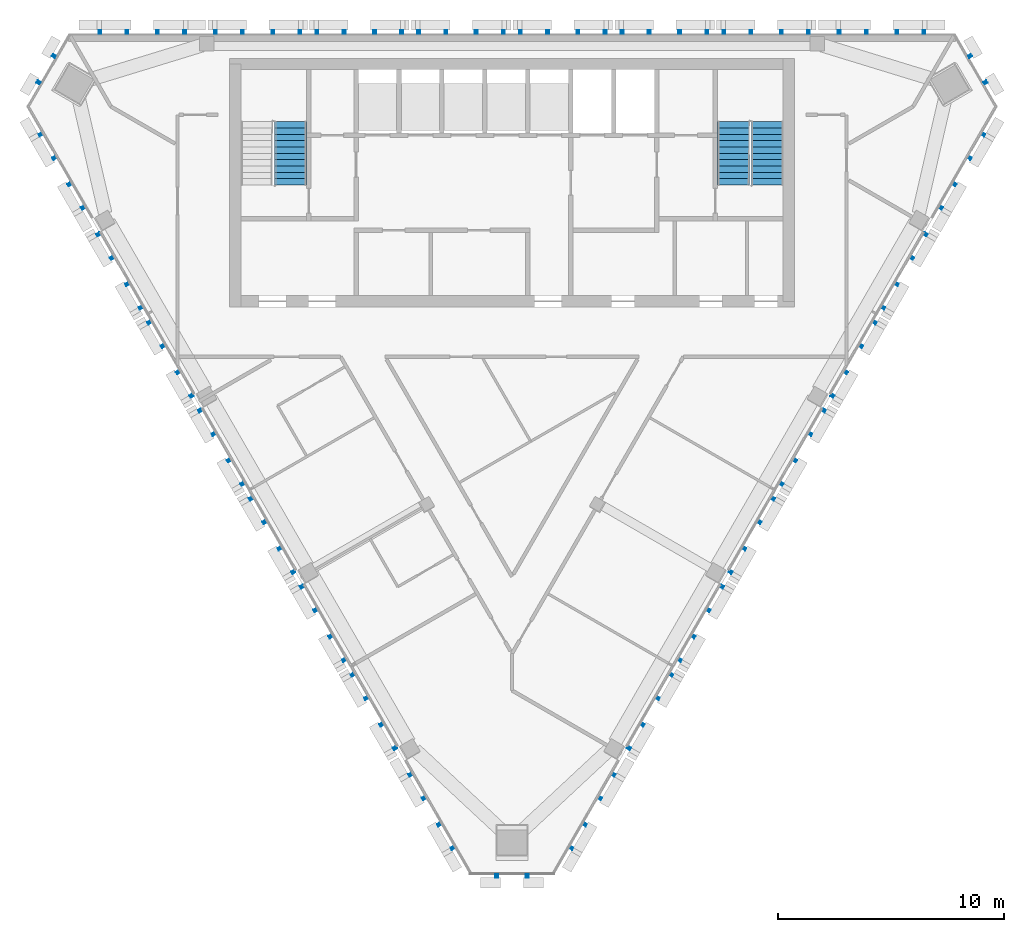
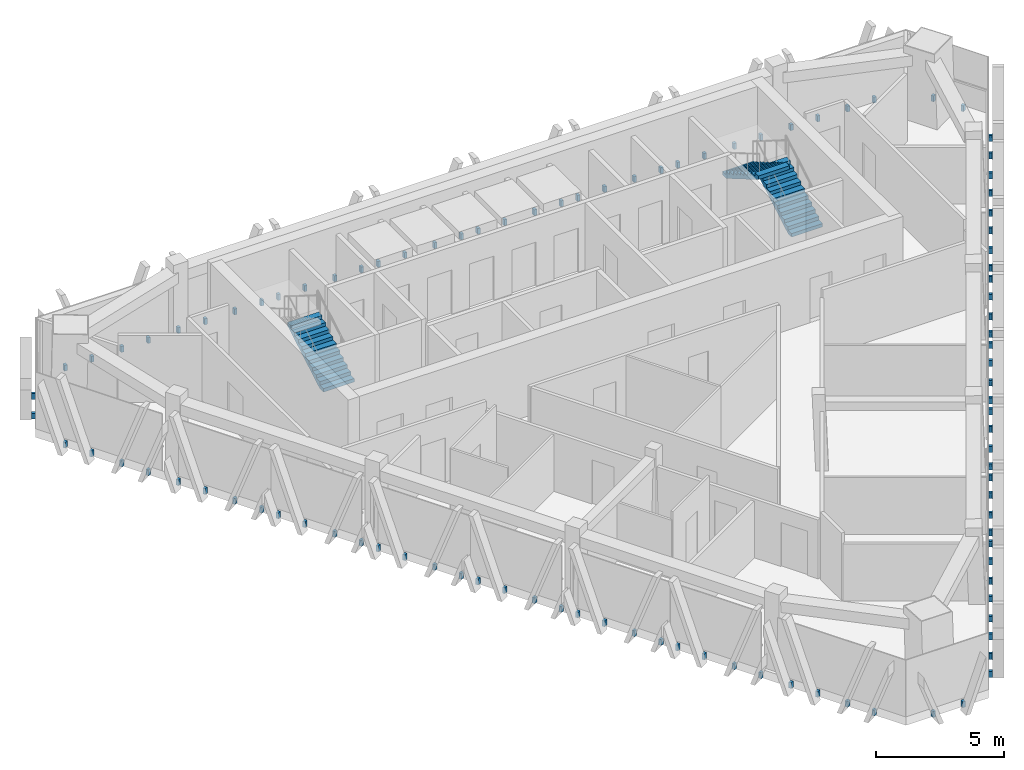
# One storey, part 8 of 10: 6 discrete accessories, 3 stair flights, 2 elements without a shape of their own.
"""IFC4 building model written with IfcOpenShell, lengths in metres."""

from ifc_helpers import new_model, si_unit, direction, frame, origin, place, context, subcontext, project, spatial, polyline, outline, extrude, source, transform, mapped, material, type_object, element, aggregate, save


model = new_model("IFC4")

# Units and contexts
model_context = context("Model", 3, precision=1e-05, world=origin(), true_north=direction((0.0, 1.0)))
body_context = subcontext(model_context, "Body", "Model", "MODEL_VIEW")
ifc_project = project(units=[si_unit("LENGTHUNIT", "METRE"), si_unit("AREAUNIT", "SQUARE_METRE"), si_unit("VOLUMEUNIT", "CUBIC_METRE"), si_unit("PLANEANGLEUNIT", "RADIAN"), si_unit("MASSUNIT", "GRAM", prefix="KILO")], contexts=[model_context])

# Site, building, storey
site_placement = place(None, origin())
site = spatial("IfcSite", under=ifc_project, at=site_placement, CompositionType="ELEMENT")
building_placement = place(site_placement, origin())
building = spatial("IfcBuilding", under=site, at=building_placement, Name="Altiplano Prism Tower", CompositionType="ELEMENT")
storey_placement = place(building_placement, frame((0.0, 0.0, 320.199951171875)))
storey = spatial("IfcBuildingStorey", under=building, at=storey_placement, Name="L83", CompositionType="ELEMENT", Elevation=320.199951171875)

# Stair, stair flight
ifc_material_1 = material(Name="Concrete C40/50", Category="concrete")
stair_type = type_object("IfcStairType", Name="Exit stair 1400", PredefinedType="HALF_TURN_STAIR", material=ifc_material_1)
stair_1_placement = place(storey_placement, origin())
stair_1 = element("IfcStair", 1, at=stair_1_placement, inside=storey, type_object=stair_type, Name="L83 Exit Stair 1", PredefinedType="HALF_TURN_STAIR")
stair_flight_type = type_object("IfcStairFlightType", Name="Stair flight concrete 150", PredefinedType="STRAIGHT", material=ifc_material_1)
stair_flight_1_placement = place(storey_placement, frame((75.199951171875, 98.300048828125, 0.0), z_axis=(0.0, 0.0, 1.0), x_axis=(0.0, 1.0, 0.0)))
stair_flight_1 = element("IfcStairFlight", 2, at=stair_flight_1_placement, type_object=stair_flight_type, Name="ST1 flight 1", NumberOfRisers=11, NumberOfTreads=10, PredefinedType="STRAIGHT", RiserHeight=0.163636364, TreadLength=0.28, context=body_context, shape_type="SweptSolid", body=[
    extrude(outline(polyline([(0.0, 0.0), (0.0, 0.16357421875), (0.280029296875, 0.16357421875), (0.280029296875, 0.327392578125), (0.56005859375, 0.327392578125), (0.56005859375, 0.490966796875), (0.840087890625, 0.490966796875), (0.840087890625, 0.654541015625), (1.1201171875, 0.654541015625), (1.1201171875, 0.818115234375), (1.39990234375, 0.818115234375), (1.39990234375, 0.98193359375), (1.679931640625, 0.98193359375), (1.679931640625, 1.1455078125), (1.9599609375, 1.1455078125), (1.9599609375, 1.30908203125), (2.239990234375, 1.30908203125), (2.239990234375, 1.47265625), (2.52001953125, 1.47265625), (2.52001953125, 1.636474609375), (2.800048828125, 1.636474609375), (2.800048828125, 1.800048828125), (2.800048828125, 1.462646484375), (0.297119140625, 0.0), (0.0, 0.0)])), frame((0.0, 0.699951171875, 0.0), z_axis=(0.0, -1.0, 0.0), x_axis=(1.0, 0.0, 0.0)), (0.0, 0.0, 1.0), 1.39990234375),
])
aggregate(stair_1, [stair_flight_1])

# Stair, stair flights
stair_2_placement = place(storey_placement, origin())
stair_2 = element("IfcStair", 3, at=stair_2_placement, inside=storey, type_object=stair_type, Name="L83 Exit Stair 2", PredefinedType="HALF_TURN_STAIR")
stair_flight_2_placement = place(storey_placement, frame((96.300048828125, 98.300048828125, 0.0), z_axis=(0.0, 0.0, 1.0), x_axis=(0.0, 1.0, 0.0)))
stair_flight_2 = element("IfcStairFlight", 4, at=stair_flight_2_placement, type_object=stair_flight_type, Name="ST2 flight 1", NumberOfRisers=11, NumberOfTreads=10, PredefinedType="STRAIGHT", RiserHeight=0.163636364, TreadLength=0.28, context=body_context, shape_type="SweptSolid", body=[
    extrude(outline(polyline([(0.0, 0.0), (0.0, 0.16357421875), (0.280029296875, 0.16357421875), (0.280029296875, 0.327392578125), (0.56005859375, 0.327392578125), (0.56005859375, 0.490966796875), (0.840087890625, 0.490966796875), (0.840087890625, 0.654541015625), (1.1201171875, 0.654541015625), (1.1201171875, 0.818115234375), (1.39990234375, 0.818115234375), (1.39990234375, 0.98193359375), (1.679931640625, 0.98193359375), (1.679931640625, 1.1455078125), (1.9599609375, 1.1455078125), (1.9599609375, 1.30908203125), (2.239990234375, 1.30908203125), (2.239990234375, 1.47265625), (2.52001953125, 1.47265625), (2.52001953125, 1.636474609375), (2.800048828125, 1.636474609375), (2.800048828125, 1.800048828125), (2.800048828125, 1.462646484375), (0.297119140625, 0.0), (0.0, 0.0)])), frame((0.0, 0.699951171875, 0.0), z_axis=(0.0, -1.0, 0.0), x_axis=(1.0, 0.0, 0.0)), (0.0, 0.0, 1.0), 1.39990234375),
])
stair_flight_3_placement = place(storey_placement, frame((94.800048828125, 101.10009765625, 1.800048828125), z_axis=(0.0, 0.0, 1.0), x_axis=(0.0, -1.0, 0.0)))
stair_flight_3 = element("IfcStairFlight", 5, at=stair_flight_3_placement, type_object=stair_flight_type, Name="ST2 flight 2", NumberOfRisers=11, NumberOfTreads=10, PredefinedType="STRAIGHT", RiserHeight=0.163636364, TreadLength=0.28, context=body_context, shape_type="SweptSolid", body=[
    extrude(outline(polyline([(0.0, 0.0), (0.0, 0.16357421875), (0.280029296875, 0.16357421875), (0.280029296875, 0.327392578125), (0.56005859375, 0.327392578125), (0.56005859375, 0.490966796875), (0.840087890625, 0.490966796875), (0.840087890625, 0.654541015625), (1.1201171875, 0.654541015625), (1.1201171875, 0.818115234375), (1.39990234375, 0.818115234375), (1.39990234375, 0.98193359375), (1.679931640625, 0.98193359375), (1.679931640625, 1.1455078125), (1.9599609375, 1.1455078125), (1.9599609375, 1.30908203125), (2.239990234375, 1.30908203125), (2.239990234375, 1.47265625), (2.52001953125, 1.47265625), (2.52001953125, 1.636474609375), (2.800048828125, 1.636474609375), (2.800048828125, 1.800048828125), (2.800048828125, 1.462646484375), (0.297119140625, 0.0), (0.0, 0.0)])), frame((0.0, 0.699951171875, 0.0), z_axis=(0.0, -1.0, 0.0), x_axis=(1.0, 0.0, 0.0)), (0.0, 0.0, 1.0), 1.39990234375),
])
aggregate(stair_2, [stair_flight_2, stair_flight_3])

# Discrete accessories
ifc_material_2 = material(Name="Stainless steel", Category="steel")
discrete_accessory_type = type_object("IfcDiscreteAccessoryType", Name="Stone fin fixing prongs", PredefinedType="USERDEFINED", material=ifc_material_2)
shared_shape_1 = source(origin(), body_context, "Body", "SweptSolid", [
    extrude(outline(polyline([(-1.932861328125, 0.06005859375), (-1.812744140625, 0.06005859375), (-1.812744140625, 0.340087890625), (-1.932861328125, 0.340087890625), (-1.932861328125, 0.06005859375)])), frame((0.0, 0.0, 0.0), z_axis=(0.0, -1.0, 0.0), x_axis=(1.0, 0.0, 0.0)), (0.0, 0.0, 1.0), 0.14990234375),
    extrude(outline(polyline([(-0.73291015625, 0.06005859375), (-0.61279296875, 0.06005859375), (-0.61279296875, 0.340087890625), (-0.73291015625, 0.340087890625), (-0.73291015625, 0.06005859375)])), frame((0.0, 0.0, 0.0), z_axis=(0.0, -1.0, 0.0), x_axis=(1.0, 0.0, 0.0)), (0.0, 0.0, 1.0), 0.14990234375),
    extrude(outline(polyline([(0.61279296875, 0.06005859375), (0.73291015625, 0.06005859375), (0.73291015625, 0.340087890625), (0.61279296875, 0.340087890625), (0.61279296875, 0.06005859375)])), frame((0.0, 0.0, 0.0), z_axis=(0.0, -1.0, 0.0), x_axis=(1.0, 0.0, 0.0)), (0.0, 0.0, 1.0), 0.14990234375),
    extrude(outline(polyline([(1.812744140625, 0.06005859375), (1.932861328125, 0.06005859375), (1.932861328125, 0.340087890625), (1.812744140625, 0.340087890625), (1.812744140625, 0.06005859375)])), frame((0.0, 0.0, 0.0), z_axis=(0.0, -1.0, 0.0), x_axis=(1.0, 0.0, 0.0)), (0.0, 0.0, 1.0), 0.14990234375),
])
shared_shape_2 = source(origin(), body_context, "Body", "SweptSolid", [
    extrude(outline(polyline([(-1.932861328125, 0.06005859375), (-1.812744140625, 0.06005859375), (-1.812744140625, 0.340087890625), (-1.932861328125, 0.340087890625), (-1.932861328125, 0.06005859375)])), frame((0.0, 0.0, 0.0), z_axis=(0.0, -1.0, 0.0), x_axis=(1.0, 0.0, 0.0)), (0.0, 0.0, 1.0), 0.14990234375),
    extrude(outline(polyline([(-0.73291015625, 0.06005859375), (-0.61279296875, 0.06005859375), (-0.61279296875, 0.340087890625), (-0.73291015625, 0.340087890625), (-0.73291015625, 0.06005859375)])), frame((0.0, 0.0, 0.0), z_axis=(0.0, -1.0, 0.0), x_axis=(1.0, 0.0, 0.0)), (0.0, 0.0, 1.0), 0.14990234375),
    extrude(outline(polyline([(0.61279296875, 0.06005859375), (0.73291015625, 0.06005859375), (0.73291015625, 0.340087890625), (0.61279296875, 0.340087890625), (0.61279296875, 0.06005859375)])), frame((0.0, 0.0, 0.0), z_axis=(0.0, -1.0, 0.0), x_axis=(1.0, 0.0, 0.0)), (0.0, 0.0, 1.0), 0.14990234375),
    extrude(outline(polyline([(1.812744140625, 0.06005859375), (1.932861328125, 0.06005859375), (1.932861328125, 0.340087890625), (1.812744140625, 0.340087890625), (1.812744140625, 0.06005859375)])), frame((0.0, 0.0, 0.0), z_axis=(0.0, -1.0, 0.0), x_axis=(1.0, 0.0, 0.0)), (0.0, 0.0, 1.0), 0.14990234375),
])
discrete_accessory_1_placement = place(storey_placement, origin())
element("IfcDiscreteAccessory", 6, at=discrete_accessory_1_placement, inside=storey, type_object=discrete_accessory_type, Name="Fin fixings L83 north face", ObjectType="BRACKET", PredefinedType="USERDEFINED", context=body_context, shape_type="MappedRepresentation", body=[
    mapped(shared_shape_1, transform((101.356201171875, 105.0, -0.39990234375), x_axis=(-1.0, 0.0, 0.0), y_axis=(0.0, -1.0, 0.0), z_axis=(0.0, 0.0, 1.0))),
    mapped(shared_shape_2, transform((96.25, 105.0, -0.39990234375), x_axis=(-1.0, 0.0, 0.0), y_axis=(0.0, -1.0, 0.0), z_axis=(0.0, 0.0, 1.0))),
    mapped(shared_shape_2, transform((91.75, 105.0, -0.39990234375), x_axis=(-1.0, 0.0, 0.0), y_axis=(0.0, -1.0, 0.0), z_axis=(0.0, 0.0, 1.0))),
    mapped(shared_shape_2, transform((87.25, 105.0, -0.39990234375), x_axis=(-1.0, 0.0, 0.0), y_axis=(0.0, -1.0, 0.0), z_axis=(0.0, 0.0, 1.0))),
    mapped(shared_shape_2, transform((82.75, 105.0, -0.39990234375), x_axis=(-1.0, 0.0, 0.0), y_axis=(0.0, -1.0, 0.0), z_axis=(0.0, 0.0, 1.0))),
    mapped(shared_shape_2, transform((78.25, 105.0, -0.39990234375), x_axis=(-1.0, 0.0, 0.0), y_axis=(0.0, -1.0, 0.0), z_axis=(0.0, 0.0, 1.0))),
    mapped(shared_shape_2, transform((73.75, 105.0, -0.39990234375), x_axis=(-1.0, 0.0, 0.0), y_axis=(0.0, -1.0, 0.0), z_axis=(0.0, 0.0, 1.0))),
    mapped(shared_shape_1, transform((68.643798828125, 105.0, -0.39990234375), x_axis=(-1.0, 0.0, 0.0), y_axis=(0.0, -1.0, 0.0), z_axis=(0.0, 0.0, 1.0))),
])
discrete_accessory_2_placement = place(storey_placement, origin())
element("IfcDiscreteAccessory", 7, at=discrete_accessory_2_placement, inside=storey, type_object=discrete_accessory_type, Name="Fin fixings L83 south-west face", ObjectType="BRACKET", PredefinedType="USERDEFINED", context=body_context, shape_type="MappedRepresentation", body=[
    mapped(shared_shape_1, transform((65.150146484375, 98.94873046875, -0.39990234375), x_axis=(0.500000008072, -0.866025399124, 0.0), y_axis=(0.866025399124, 0.500000008072, 0.0), z_axis=(0.0, 0.0, 1.0))),
    mapped(shared_shape_2, transform((67.703125, 94.526611328125, -0.39990234375), x_axis=(0.500000008072, -0.866025399124, 0.0), y_axis=(0.866025399124, 0.500000008072, 0.0), z_axis=(0.0, 0.0, 1.0))),
    mapped(shared_shape_2, transform((69.953125, 90.62939453125, -0.39990234375), x_axis=(0.500000008072, -0.866025399124, 0.0), y_axis=(0.866025399124, 0.500000008072, 0.0), z_axis=(0.0, 0.0, 1.0))),
    mapped(shared_shape_2, transform((72.203125, 86.732421875, -0.39990234375), x_axis=(0.500000008072, -0.866025399124, 0.0), y_axis=(0.866025399124, 0.500000008072, 0.0), z_axis=(0.0, 0.0, 1.0))),
    mapped(shared_shape_2, transform((74.453125, 82.835205078125, -0.39990234375), x_axis=(0.500000008072, -0.866025399124, 0.0), y_axis=(0.866025399124, 0.500000008072, 0.0), z_axis=(0.0, 0.0, 1.0))),
    mapped(shared_shape_2, transform((76.703125, 78.938232421875, -0.39990234375), x_axis=(0.500000008072, -0.866025399124, 0.0), y_axis=(0.866025399124, 0.500000008072, 0.0), z_axis=(0.0, 0.0, 1.0))),
    mapped(shared_shape_2, transform((78.953125, 75.041015625, -0.39990234375), x_axis=(0.500000008072, -0.866025399124, 0.0), y_axis=(0.866025399124, 0.500000008072, 0.0), z_axis=(0.0, 0.0, 1.0))),
    mapped(shared_shape_1, transform((81.50634765625, 70.618896484375, -0.39990234375), x_axis=(0.500000008072, -0.866025399124, 0.0), y_axis=(0.866025399124, 0.500000008072, 0.0), z_axis=(0.0, 0.0, 1.0))),
])
discrete_accessory_3_placement = place(storey_placement, origin())
element("IfcDiscreteAccessory", 8, at=discrete_accessory_3_placement, inside=storey, type_object=discrete_accessory_type, Name="Fin fixings L83 south-east face", ObjectType="BRACKET", PredefinedType="USERDEFINED", context=body_context, shape_type="MappedRepresentation", body=[
    mapped(shared_shape_1, transform((88.49365234375, 70.618896484375, -0.39990234375), x_axis=(0.500000008072, 0.866025399124, 0.0), y_axis=(-0.866025399124, 0.500000008072, 0.0), z_axis=(0.0, 0.0, 1.0))),
    mapped(shared_shape_2, transform((91.046875, 75.041015625, -0.39990234375), x_axis=(0.500000008072, 0.866025399124, 0.0), y_axis=(-0.866025399124, 0.500000008072, 0.0), z_axis=(0.0, 0.0, 1.0))),
    mapped(shared_shape_2, transform((93.296875, 78.938232421875, -0.39990234375), x_axis=(0.500000008072, 0.866025399124, 0.0), y_axis=(-0.866025399124, 0.500000008072, 0.0), z_axis=(0.0, 0.0, 1.0))),
    mapped(shared_shape_2, transform((95.546875, 82.835205078125, -0.39990234375), x_axis=(0.500000008072, 0.866025399124, 0.0), y_axis=(-0.866025399124, 0.500000008072, 0.0), z_axis=(0.0, 0.0, 1.0))),
    mapped(shared_shape_2, transform((97.796875, 86.732421875, -0.39990234375), x_axis=(0.500000008072, 0.866025399124, 0.0), y_axis=(-0.866025399124, 0.500000008072, 0.0), z_axis=(0.0, 0.0, 1.0))),
    mapped(shared_shape_2, transform((100.046875, 90.62939453125, -0.39990234375), x_axis=(0.500000008072, 0.866025399124, 0.0), y_axis=(-0.866025399124, 0.500000008072, 0.0), z_axis=(0.0, 0.0, 1.0))),
    mapped(shared_shape_2, transform((102.296875, 94.526611328125, -0.39990234375), x_axis=(0.500000008072, 0.866025399124, 0.0), y_axis=(-0.866025399124, 0.500000008072, 0.0), z_axis=(0.0, 0.0, 1.0))),
    mapped(shared_shape_1, transform((104.849853515625, 98.94873046875, -0.39990234375), x_axis=(0.500000008072, 0.866025399124, 0.0), y_axis=(-0.866025399124, 0.500000008072, 0.0), z_axis=(0.0, 0.0, 1.0))),
])
shared_shape_3 = source(origin(), body_context, "Body", "SweptSolid", [
    extrude(outline(polyline([(-0.73291015625, 0.06005859375), (-0.61279296875, 0.06005859375), (-0.61279296875, 0.340087890625), (-0.73291015625, 0.340087890625), (-0.73291015625, 0.06005859375)])), frame((0.0, 0.0, 0.0), z_axis=(0.0, -1.0, 0.0), x_axis=(1.0, 0.0, 0.0)), (0.0, 0.0, 1.0), 0.14990234375),
    extrude(outline(polyline([(0.61279296875, 0.06005859375), (0.73291015625, 0.06005859375), (0.73291015625, 0.340087890625), (0.61279296875, 0.340087890625), (0.61279296875, 0.06005859375)])), frame((0.0, 0.0, 0.0), z_axis=(0.0, -1.0, 0.0), x_axis=(1.0, 0.0, 0.0)), (0.0, 0.0, 1.0), 0.14990234375),
])
discrete_accessory_4_placement = place(storey_placement, origin())
element("IfcDiscreteAccessory", 9, at=discrete_accessory_4_placement, inside=storey, type_object=discrete_accessory_type, Name="Fin fixings L83 north-west chamfer", ObjectType="BRACKET", PredefinedType="USERDEFINED", context=body_context, shape_type="MappedRepresentation", body=[
    mapped(shared_shape_3, transform((64.454833984375, 103.38427734375, -0.39990234375), x_axis=(-0.499999982077, -0.866025414133, 0.0), y_axis=(0.866025414133, -0.499999982077, 0.0), z_axis=(0.0, 0.0, 1.0))),
])
discrete_accessory_5_placement = place(storey_placement, origin())
element("IfcDiscreteAccessory", 10, at=discrete_accessory_5_placement, inside=storey, type_object=discrete_accessory_type, Name="Fin fixings L83 south chamfer", ObjectType="BRACKET", PredefinedType="USERDEFINED", context=body_context, shape_type="MappedRepresentation", body=[
    mapped(shared_shape_3, transform((85.0, 67.799072265625, -0.39990234375), x_axis=(1.0, 0.0, 0.0), y_axis=(0.0, 1.0, 0.0), z_axis=(0.0, 0.0, 1.0))),
])
discrete_accessory_6_placement = place(storey_placement, origin())
element("IfcDiscreteAccessory", 11, at=discrete_accessory_6_placement, inside=storey, type_object=discrete_accessory_type, Name="Fin fixings L83 north-east chamfer", ObjectType="BRACKET", PredefinedType="USERDEFINED", context=body_context, shape_type="MappedRepresentation", body=[
    mapped(shared_shape_3, transform((105.545166015625, 103.38427734375, -0.39990234375), x_axis=(-0.499999982077, 0.866025414133, 0.0), y_axis=(-0.866025414133, -0.499999982077, 0.0), z_axis=(0.0, 0.0, 1.0))),
])

save(model, "model.ifc")
